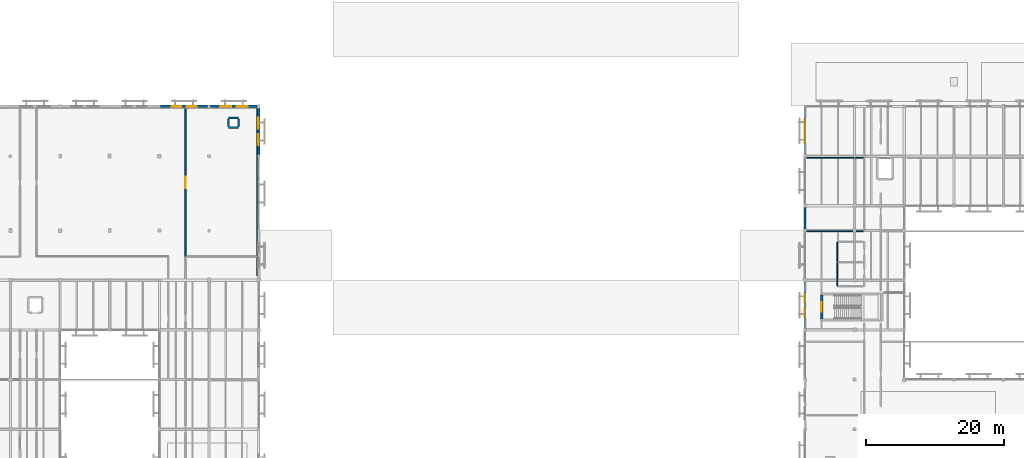
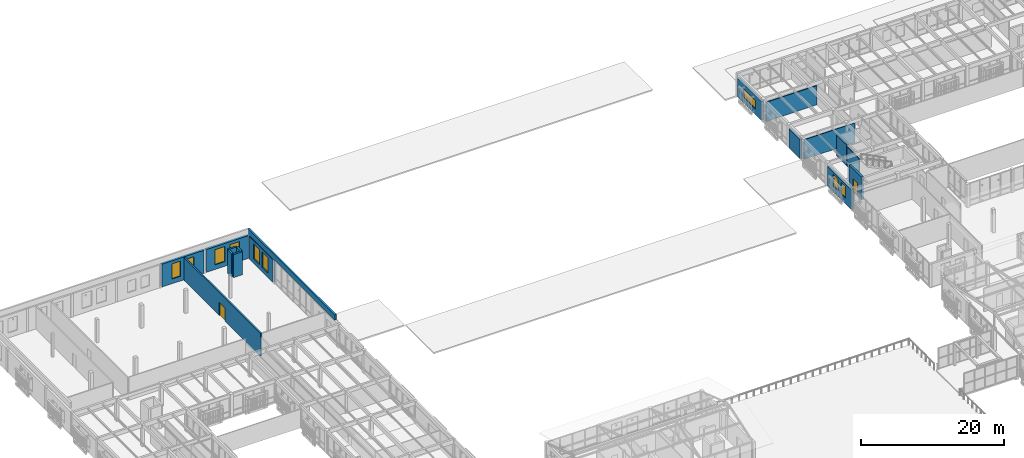
# One storey, part 85 of 112: 17 walls, 9 windows, 2 doors, 11 openings.
"""IFC4 building model written with IfcOpenShell, lengths in metres."""

from ifc_helpers import new_model, si_unit, direction, frame, frame_2d, origin, place, context, subcontext, project, spatial, rectangle, extrude, material, layer, layer_set, type_object, element, fill, save


model = new_model("IFC4")

# Units and contexts
model_context = context("Model", 3, precision=1e-05, world=origin(), true_north=direction((0.0, 1.0)))
body_context = subcontext(model_context, "Body", "Model", "MODEL_VIEW")
ifc_project = project(units=[si_unit("LENGTHUNIT", "METRE"), si_unit("AREAUNIT", "SQUARE_METRE"), si_unit("VOLUMEUNIT", "CUBIC_METRE"), si_unit("PLANEANGLEUNIT", "RADIAN"), si_unit("MASSUNIT", "GRAM", prefix="KILO")], contexts=[model_context])

# Site, building, storey
site_placement = place(None, origin())
site = spatial("IfcSite", under=ifc_project, at=site_placement, CompositionType="ELEMENT")
building_placement = place(site_placement, origin())
building = spatial("IfcBuilding", under=site, at=building_placement, Name="Mazaris Harbour Polytechnic", CompositionType="ELEMENT")
storey_placement = place(building_placement, frame((0.0, 0.0, 13.800048828125)))
storey = spatial("IfcBuildingStorey", under=building, at=storey_placement, Name="L03", CompositionType="ELEMENT", Elevation=13.800048828125)

# Wall, opening, door
ifc_material_1 = material(Name="Concrete C35/45", Category="concrete")
ifc_layer_1 = layer(ifc_material_1, 0.239990234375, Name="Concrete C35/45")
ifc_layer_set_1 = layer_set([ifc_layer_1], Name="Concrete C35/45")
wall_type_1 = type_object("IfcWallType", Name="Archive Vault Fire Wall 240", PredefinedType="STANDARD", material=ifc_layer_set_1)
wall_1_placement = place(storey_placement, frame((32.60009765625, 79.044921875, 0.0), z_axis=(0.0, 0.0, 1.0), x_axis=(0.0, 1.0, 0.0)))
wall_1 = element("IfcWall", 1, at=wall_1_placement, inside=storey, type_object=wall_type_1, Name="V4 L03 Partition 434", PredefinedType="STANDARD", context=body_context, shape_type="SweptSolid", body=[
    extrude(rectangle(XDim=21.45703125, YDim=0.239990234375, at=frame_2d((10.728515625, 0.0))), origin(), (0.0, 0.0, 1.0), 3.919921875),
])
opening_1_placement = place(wall_1_placement, frame((9.903564453125, 0.0, 0.0)))
opening_1 = element("IfcOpeningElement", 2, at=opening_1_placement, cuts=wall_1, Name="Opening ID-06D", PredefinedType="OPENING", context=body_context, shape_type="SweptSolid", body=[
    extrude(rectangle(XDim=1.64990234375, YDim=2.25, at=frame_2d((0.824951171875, 1.125))), frame((0.0, 0.1298828125, 0.0), z_axis=(0.0, -1.0, 0.0), x_axis=(1.0, 0.0, 0.0)), (0.0, 0.0, 1.0), 0.260009765625),
])
ifc_material_2 = material(Name="Galvanised Steel S355", Category="steel")
door_type_1 = type_object("IfcDoorType", Name="Plant and Substation Double Door 1650x2250", OperationType="DOUBLE_DOOR_SINGLE_SWING", PredefinedType="DOOR", material=ifc_material_2)
door_1_placement = place(opening_1_placement, origin())
door_1 = element("IfcDoor", 3, at=door_1_placement, inside=storey, type_object=door_type_1, Name="ID-0206", OperationType="DOUBLE_DOOR_SINGLE_SWING", OverallHeight=2.25, OverallWidth=1.64990234375, PredefinedType="DOOR", context=body_context, shape_type="SweptSolid", body=[
    extrude(rectangle(XDim=1.64990234375, YDim=2.25, at=frame_2d((0.824951171875, 1.125))), frame((0.0, 0.02490234375, 0.0), z_axis=(0.0, -1.0, 0.0), x_axis=(1.0, 0.0, 0.0)), (0.0, 0.0, 1.0), 0.050048828125),
])
fill(opening_1, door_1)

# Walls
ifc_material_3 = material(Name="Double Gypsum and Mineral Wool")
ifc_layer_2 = layer(ifc_material_3, 0.14990234375, Name="Double Gypsum and Mineral Wool")
ifc_layer_set_2 = layer_set([ifc_layer_2], Name="Double Gypsum and Mineral Wool")
wall_type_2 = type_object("IfcWallType", Name="Classroom Acoustic Partition 150", PredefinedType="PARTITIONING", material=ifc_layer_set_2)
wall_2_placement = place(storey_placement, frame((122.64990234375, 82.699951171875, 0.0), z_axis=(0.0, 0.0, 1.0), x_axis=(1.0, 0.0, 0.0)))
element("IfcWall", 4, at=wall_2_placement, inside=storey, type_object=wall_type_2, Name="V5 L03 Partition 638", PredefinedType="PARTITIONING", context=body_context, shape_type="SweptSolid", body=[
    extrude(rectangle(XDim=8.22998046875, YDim=0.14990234375, at=frame_2d((4.114990234375, 0.0))), origin(), (0.0, 0.0, 1.0), 3.35498046875),
])
ifc_material_4 = material(Name="Fireboard and Mineral Wool")
ifc_layer_3 = layer(ifc_material_4, 0.1650390625, Name="Fireboard and Mineral Wool")
ifc_layer_set_3 = layer_set([ifc_layer_3], Name="Fireboard and Mineral Wool")
wall_type_3 = type_object("IfcWallType", Name="Laboratory Rated Partition 165", PredefinedType="PARTITIONING", material=ifc_layer_set_3)
wall_3_placement = place(storey_placement, frame((122.64990234375, 93.3798828125, 0.0), z_axis=(0.0, 0.0, 1.0), x_axis=(1.0, 0.0, 0.0)))
element("IfcWall", 5, at=wall_3_placement, inside=storey, type_object=wall_type_3, Name="V5 L03 Partition 640", PredefinedType="PARTITIONING", context=body_context, shape_type="SweptSolid", body=[
    extrude(rectangle(XDim=8.22998046875, YDim=0.1650390625, at=frame_2d((4.114990234375, 0.0))), origin(), (0.0, 0.0, 1.0), 3.294921875),
])

# Wall, openings, windows
ifc_material_5 = material(Name="Algerian Buff Limestone and Concrete C30/37", Category="masonry")
ifc_layer_4 = layer(ifc_material_5, 0.360107421875, Name="Algerian Buff Limestone and Concrete C30/37")
ifc_layer_set_4 = layer_set([ifc_layer_4], Name="Algerian Buff Limestone and Concrete C30/37")
wall_type_4 = type_object("IfcWallType", Name="Limestone Ashlar Exterior Wall 360", PredefinedType="STANDARD", material=ifc_layer_set_4)
wall_4_placement = place(storey_placement, frame((28.971923828125, 100.800048828125, 0.0), z_axis=(0.0, 0.0, 1.0), x_axis=(1.0, 0.0, 0.0)))
wall_4 = element("IfcWall", 6, at=wall_4_placement, inside=storey, type_object=wall_type_4, Name="V4 L03 Exterior Wall 226", PredefinedType="STANDARD", context=body_context, shape_type="SweptSolid", body=[
    extrude(rectangle(XDim=6.826171875, YDim=0.360107421875, at=frame_2d((3.4130859375, 0.0))), origin(), (0.0, 0.0, 1.0), 3.919921875),
])
opening_2_placement = place(wall_4_placement, frame((1.613037109375, 0.0, 0.800048828125)))
opening_2 = element("IfcOpeningElement", 7, at=opening_2_placement, cuts=wall_4, Name="Opening WN-01", PredefinedType="OPENING", context=body_context, shape_type="SweptSolid", body=[
    extrude(rectangle(XDim=1.39990234375, YDim=2.60009765625, at=frame_2d((0.699951171875, 1.300048828125))), frame((0.0, 0.18994140625, 0.0), z_axis=(0.0, -1.0, 0.0), x_axis=(1.0, 0.0, 0.0)), (0.0, 0.0, 1.0), 0.380126953125),
])
opening_3_placement = place(wall_4_placement, frame((3.81298828125, 0.0, 0.800048828125)))
opening_3 = element("IfcOpeningElement", 8, at=opening_3_placement, cuts=wall_4, Name="Opening WN-01", PredefinedType="OPENING", context=body_context, shape_type="SweptSolid", body=[
    extrude(rectangle(XDim=1.39990234375, YDim=2.60009765625, at=frame_2d((0.699951171875, 1.300048828125))), frame((0.0, 0.18994140625, 0.0), z_axis=(0.0, -1.0, 0.0), x_axis=(1.0, 0.0, 0.0)), (0.0, 0.0, 1.0), 0.380126953125),
])
ifc_material_6 = material(Name="Thermally Broken Bronze Aluminium and Low-E Glass", Category="aluminium")
window_type_1 = type_object("IfcWindowType", Name="Neoclassical Tall Window 1400x2600", PartitioningType="DOUBLE_PANEL_VERTICAL", PredefinedType="WINDOW", material=ifc_material_6)
window_1_placement = place(opening_2_placement, origin())
window_1 = element("IfcWindow", 9, at=window_1_placement, inside=storey, type_object=window_type_1, Name="WN-0233", OverallHeight=2.60009765625, OverallWidth=1.39990234375, PartitioningType="DOUBLE_PANEL_VERTICAL", PredefinedType="WINDOW", context=body_context, shape_type="SweptSolid", body=[
    extrude(rectangle(XDim=1.39990234375, YDim=2.60009765625, at=frame_2d((0.699951171875, 1.300048828125))), frame((0.0, 0.030029296875, 0.0), z_axis=(0.0, -1.0, 0.0), x_axis=(1.0, 0.0, 0.0)), (0.0, 0.0, 1.0), 0.06005859375),
])
fill(opening_2, window_1)
window_2_placement = place(opening_3_placement, origin())
window_2 = element("IfcWindow", 10, at=window_2_placement, inside=storey, type_object=window_type_1, Name="WN-0234", OverallHeight=2.60009765625, OverallWidth=1.39990234375, PartitioningType="DOUBLE_PANEL_VERTICAL", PredefinedType="WINDOW", context=body_context, shape_type="SweptSolid", body=[
    extrude(rectangle(XDim=1.39990234375, YDim=2.60009765625, at=frame_2d((0.699951171875, 1.300048828125))), frame((0.0, 0.030029296875, 0.0), z_axis=(0.0, -1.0, 0.0), x_axis=(1.0, 0.0, 0.0)), (0.0, 0.0, 1.0), 0.06005859375),
])
fill(opening_3, window_2)

wall_5_placement = place(storey_placement, frame((36.201904296875, 100.800048828125, 0.0), z_axis=(0.0, 0.0, 1.0), x_axis=(1.0, 0.0, 0.0)))
wall_5 = element("IfcWall", 11, at=wall_5_placement, inside=storey, type_object=wall_type_4, Name="V4 L03 Exterior Wall 227", PredefinedType="STANDARD", context=body_context, shape_type="SweptSolid", body=[
    extrude(rectangle(XDim=6.7861328125, YDim=0.360107421875, at=frame_2d((3.39306640625, 0.0))), origin(), (0.0, 0.0, 1.0), 3.919921875),
])
opening_4_placement = place(wall_5_placement, frame((1.39306640625, 0.0, 0.800048828125)))
opening_4 = element("IfcOpeningElement", 12, at=opening_4_placement, cuts=wall_5, Name="Opening WN-02", PredefinedType="OPENING", context=body_context, shape_type="SweptSolid", body=[
    extrude(rectangle(XDim=1.60009765625, YDim=2.60009765625, at=frame_2d((0.800048828125, 1.300048828125))), frame((0.0, 0.18994140625, 0.0), z_axis=(0.0, -1.0, 0.0), x_axis=(1.0, 0.0, 0.0)), (0.0, 0.0, 1.0), 0.380126953125),
])
opening_5_placement = place(wall_5_placement, frame((3.79296875, 0.0, 0.800048828125)))
opening_5 = element("IfcOpeningElement", 13, at=opening_5_placement, cuts=wall_5, Name="Opening WN-02", PredefinedType="OPENING", context=body_context, shape_type="SweptSolid", body=[
    extrude(rectangle(XDim=1.60009765625, YDim=2.60009765625, at=frame_2d((0.800048828125, 1.300048828125))), frame((0.0, 0.18994140625, 0.0), z_axis=(0.0, -1.0, 0.0), x_axis=(1.0, 0.0, 0.0)), (0.0, 0.0, 1.0), 0.380126953125),
])
ifc_material_7 = material(Name="Thermally Broken Bronze Aluminium and Low-E Glass", Category="aluminium")
window_type_2 = type_object("IfcWindowType", Name="Neoclassical Tall Window 1600x2600", PartitioningType="DOUBLE_PANEL_VERTICAL", PredefinedType="WINDOW", material=ifc_material_7)
window_3_placement = place(opening_4_placement, origin())
window_3 = element("IfcWindow", 14, at=window_3_placement, inside=storey, type_object=window_type_2, Name="WN-0235", OverallHeight=2.60009765625, OverallWidth=1.60009765625, PartitioningType="DOUBLE_PANEL_VERTICAL", PredefinedType="WINDOW", context=body_context, shape_type="SweptSolid", body=[
    extrude(rectangle(XDim=1.60009765625, YDim=2.60009765625, at=frame_2d((0.800048828125, 1.300048828125))), frame((0.0, 0.030029296875, 0.0), z_axis=(0.0, -1.0, 0.0), x_axis=(1.0, 0.0, 0.0)), (0.0, 0.0, 1.0), 0.06005859375),
])
fill(opening_4, window_3)
window_4_placement = place(opening_5_placement, origin())
window_4 = element("IfcWindow", 15, at=window_4_placement, inside=storey, type_object=window_type_2, Name="WN-0236", OverallHeight=2.60009765625, OverallWidth=1.60009765625, PartitioningType="DOUBLE_PANEL_VERTICAL", PredefinedType="WINDOW", context=body_context, shape_type="SweptSolid", body=[
    extrude(rectangle(XDim=1.60009765625, YDim=2.60009765625, at=frame_2d((0.800048828125, 1.300048828125))), frame((0.0, 0.030029296875, 0.0), z_axis=(0.0, -1.0, 0.0), x_axis=(1.0, 0.0, 0.0)), (0.0, 0.0, 1.0), 0.06005859375),
])
fill(opening_5, window_4)

wall_6_placement = place(storey_placement, frame((43.199951171875, 100.508056640625, 0.0), z_axis=(0.0, 0.0, 1.0), x_axis=(0.0, -1.0, 0.0)))
wall_6 = element("IfcWall", 16, at=wall_6_placement, inside=storey, type_object=wall_type_4, Name="V4 L03 Exterior Wall 245", PredefinedType="STANDARD", context=body_context, shape_type="SweptSolid", body=[
    extrude(rectangle(XDim=6.64599609375, YDim=0.360107421875, at=frame_2d((3.322998046875, 0.0))), origin(), (0.0, 0.0, 1.0), 3.919921875),
])
opening_6_placement = place(wall_6_placement, frame((1.322998046875, 0.0, 0.800048828125)))
opening_6 = element("IfcOpeningElement", 17, at=opening_6_placement, cuts=wall_6, Name="Opening WN-02", PredefinedType="OPENING", context=body_context, shape_type="SweptSolid", body=[
    extrude(rectangle(XDim=1.60009765625, YDim=2.60009765625, at=frame_2d((0.800048828125, 1.300048828125))), frame((0.0, 0.18994140625, 0.0), z_axis=(0.0, -1.0, 0.0), x_axis=(1.0, 0.0, 0.0)), (0.0, 0.0, 1.0), 0.380126953125),
])
opening_7_placement = place(wall_6_placement, frame((3.722900390625, 0.0, 0.800048828125)))
opening_7 = element("IfcOpeningElement", 18, at=opening_7_placement, cuts=wall_6, Name="Opening WN-02", PredefinedType="OPENING", context=body_context, shape_type="SweptSolid", body=[
    extrude(rectangle(XDim=1.60009765625, YDim=2.60009765625, at=frame_2d((0.800048828125, 1.300048828125))), frame((0.0, 0.18994140625, 0.0), z_axis=(0.0, -1.0, 0.0), x_axis=(1.0, 0.0, 0.0)), (0.0, 0.0, 1.0), 0.380126953125),
])
window_5_placement = place(opening_6_placement, origin())
window_5 = element("IfcWindow", 19, at=window_5_placement, inside=storey, type_object=window_type_2, Name="WN-0260", OverallHeight=2.60009765625, OverallWidth=1.60009765625, PartitioningType="DOUBLE_PANEL_VERTICAL", PredefinedType="WINDOW", context=body_context, shape_type="SweptSolid", body=[
    extrude(rectangle(XDim=1.60009765625, YDim=2.60009765625, at=frame_2d((0.800048828125, 1.300048828125))), frame((0.0, 0.030029296875, 0.0), z_axis=(0.0, -1.0, 0.0), x_axis=(1.0, 0.0, 0.0)), (0.0, 0.0, 1.0), 0.06005859375),
])
fill(opening_6, window_5)
window_6_placement = place(opening_7_placement, origin())
window_6 = element("IfcWindow", 20, at=window_6_placement, inside=storey, type_object=window_type_2, Name="WN-0261", OverallHeight=2.60009765625, OverallWidth=1.60009765625, PartitioningType="DOUBLE_PANEL_VERTICAL", PredefinedType="WINDOW", context=body_context, shape_type="SweptSolid", body=[
    extrude(rectangle(XDim=1.60009765625, YDim=2.60009765625, at=frame_2d((0.800048828125, 1.300048828125))), frame((0.0, 0.030029296875, 0.0), z_axis=(0.0, -1.0, 0.0), x_axis=(1.0, 0.0, 0.0)), (0.0, 0.0, 1.0), 0.06005859375),
])
fill(opening_7, window_6)

# Wall
ifc_material_8 = material(Name="Algerian Buff Limestone", Category="masonry")
ifc_layer_5 = layer(ifc_material_8, 0.264892578125, Name="Algerian Buff Limestone")
ifc_layer_set_5 = layer_set([ifc_layer_5], Name="Algerian Buff Limestone")
wall_type_5 = type_object("IfcWallType", Name="Limestone Attic Parapet 265", PredefinedType="PARAPET", material=ifc_layer_set_5)
wall_7_placement = place(storey_placement, frame((43.06005859375, 76.25, 4.199951171875), z_axis=(0.0, 0.0, 1.0), x_axis=(0.0, 1.0, 0.0)))
element("IfcWall", 21, at=wall_7_placement, inside=storey, type_object=wall_type_5, Name="L03 Roof Cornice Parapet 4", PredefinedType="PARAPET", context=body_context, shape_type="SweptSolid", body=[
    extrude(rectangle(XDim=24.409912109375, YDim=0.264892578125, at=frame_2d((12.205078125, 0.0))), origin(), (0.0, 0.0, 1.0), 0.949951171875),
])

# Wall, openings, windows
ifc_material_9 = material(Name="Algerian Buff Limestone and Mineral Wool", Category="masonry")
ifc_layer_6 = layer(ifc_material_9, 0.31005859375, Name="Algerian Buff Limestone and Mineral Wool")
ifc_layer_set_6 = layer_set([ifc_layer_6], Name="Algerian Buff Limestone and Mineral Wool")
wall_type_6 = type_object("IfcWallType", Name="Limestone Studio Wall 310", PredefinedType="STANDARD", material=ifc_layer_set_6)
wall_8_placement = place(storey_placement, frame((122.39990234375, 68.6220703125, 0.0), z_axis=(0.0, 0.0, 1.0), x_axis=(0.0, 1.0, 0.0)))
wall_8 = element("IfcWall", 22, at=wall_8_placement, inside=storey, type_object=wall_type_6, Name="V5 L03 Exterior Wall 365", PredefinedType="STANDARD", context=body_context, shape_type="SweptSolid", body=[
    extrude(rectangle(XDim=6.73583984375, YDim=0.31005859375, at=frame_2d((3.367919921875, 0.0))), origin(), (0.0, 0.0, 1.0), 3.4150390625),
])
opening_8_placement = place(wall_8_placement, frame((1.617919921875, 0.0, 0.949951171875)))
opening_8 = element("IfcOpeningElement", 23, at=opening_8_placement, cuts=wall_8, Name="Opening WN-30", PredefinedType="OPENING", context=body_context, shape_type="SweptSolid", body=[
    extrude(rectangle(XDim=1.35009765625, YDim=2.0, at=frame_2d((0.675048828125, 1.0))), frame((0.0, 0.1650390625, 0.0), z_axis=(0.0, -1.0, 0.0), x_axis=(1.0, 0.0, 0.0)), (0.0, 0.0, 1.0), 0.330078125),
])
opening_9_placement = place(wall_8_placement, frame((3.76806640625, 0.0, 0.949951171875)))
opening_9 = element("IfcOpeningElement", 24, at=opening_9_placement, cuts=wall_8, Name="Opening WN-30", PredefinedType="OPENING", context=body_context, shape_type="SweptSolid", body=[
    extrude(rectangle(XDim=1.35009765625, YDim=2.0, at=frame_2d((0.675048828125, 1.0))), frame((0.0, 0.1650390625, 0.0), z_axis=(0.0, -1.0, 0.0), x_axis=(1.0, 0.0, 0.0)), (0.0, 0.0, 1.0), 0.330078125),
])
ifc_material_10 = material(Name="Thermally Broken Bronze Aluminium and Low-E Glass", Category="aluminium")
window_type_3 = type_object("IfcWindowType", Name="Pavilion Side Window 1350x2000", PartitioningType="DOUBLE_PANEL_VERTICAL", PredefinedType="WINDOW", material=ifc_material_10)
window_7_placement = place(opening_8_placement, origin())
window_7 = element("IfcWindow", 25, at=window_7_placement, inside=storey, type_object=window_type_3, Name="WN-0424", OverallHeight=2.0, OverallWidth=1.35009765625, PartitioningType="DOUBLE_PANEL_VERTICAL", PredefinedType="WINDOW", context=body_context, shape_type="SweptSolid", body=[
    extrude(rectangle(XDim=1.35009765625, YDim=2.0, at=frame_2d((0.675048828125, 1.0))), frame((0.0, 0.030029296875, 0.0), z_axis=(0.0, -1.0, 0.0), x_axis=(1.0, 0.0, 0.0)), (0.0, 0.0, 1.0), 0.06005859375),
])
fill(opening_8, window_7)
window_8_placement = place(opening_9_placement, origin())
window_8 = element("IfcWindow", 26, at=window_8_placement, inside=storey, type_object=window_type_3, Name="WN-0425", OverallHeight=2.0, OverallWidth=1.35009765625, PartitioningType="DOUBLE_PANEL_VERTICAL", PredefinedType="WINDOW", context=body_context, shape_type="SweptSolid", body=[
    extrude(rectangle(XDim=1.35009765625, YDim=2.0, at=frame_2d((0.675048828125, 1.0))), frame((0.0, 0.030029296875, 0.0), z_axis=(0.0, -1.0, 0.0), x_axis=(1.0, 0.0, 0.0)), (0.0, 0.0, 1.0), 0.06005859375),
])
fill(opening_9, window_8)

# Wall
wall_9_placement = place(storey_placement, frame((122.39990234375, 83.031982421875, 0.0), z_axis=(0.0, 0.0, 1.0), x_axis=(0.0, 1.0, 0.0)))
element("IfcWall", 27, at=wall_9_placement, inside=storey, type_object=wall_type_6, Name="V5 L03 Exterior Wall 366", PredefinedType="STANDARD", context=body_context, shape_type="SweptSolid", body=[
    extrude(rectangle(XDim=3.10595703125, YDim=0.31005859375, at=frame_2d((1.552978515625, 0.0))), origin(), (0.0, 0.0, 1.0), 3.294921875),
])

# Wall, opening, window
wall_10_placement = place(storey_placement, frame((122.39990234375, 93.89208984375, 0.0), z_axis=(0.0, 0.0, 1.0), x_axis=(0.0, 1.0, 0.0)))
wall_10 = element("IfcWall", 28, at=wall_10_placement, inside=storey, type_object=wall_type_6, Name="V5 L03 Exterior Wall 367", PredefinedType="STANDARD", context=body_context, shape_type="SweptSolid", body=[
    extrude(rectangle(XDim=6.745849609375, YDim=0.31005859375, at=frame_2d((3.373046875, 0.0))), origin(), (0.0, 0.0, 1.0), 3.195068359375),
])
opening_10_placement = place(wall_10_placement, frame((1.673095703125, 0.0, 0.89990234375)))
opening_10 = element("IfcOpeningElement", 29, at=opening_10_placement, cuts=wall_10, Name="Opening WN-16", PredefinedType="OPENING", context=body_context, shape_type="SweptSolid", body=[
    extrude(rectangle(XDim=3.39990234375, YDim=1.5, at=frame_2d((1.699951171875, 0.75))), frame((0.0, 0.1650390625, 0.0), z_axis=(0.0, -1.0, 0.0), x_axis=(1.0, 0.0, 0.0)), (0.0, 0.0, 1.0), 0.330078125),
])
ifc_material_11 = material(Name="Thermally Broken Bronze Aluminium and Low-E Glass", Category="aluminium")
window_type_4 = type_object("IfcWindowType", Name="Workshop Clerestory Ribbon 3400x1500", PartitioningType="DOUBLE_PANEL_VERTICAL", PredefinedType="WINDOW", material=ifc_material_11)
window_9_placement = place(opening_10_placement, origin())
window_9 = element("IfcWindow", 30, at=window_9_placement, inside=storey, type_object=window_type_4, Name="WN-0426", OverallHeight=1.5, OverallWidth=3.39990234375, PartitioningType="DOUBLE_PANEL_VERTICAL", PredefinedType="WINDOW", context=body_context, shape_type="SweptSolid", body=[
    extrude(rectangle(XDim=3.39990234375, YDim=1.5, at=frame_2d((1.699951171875, 0.75))), frame((0.0, 0.030029296875, 0.0), z_axis=(0.0, -1.0, 0.0), x_axis=(1.0, 0.0, 0.0)), (0.0, 0.0, 1.0), 0.06005859375),
])
fill(opening_10, window_9)

# Wall, opening, door
ifc_material_12 = material(Name="Concrete C40/50", Category="concrete")
ifc_layer_7 = layer(ifc_material_12, 0.324951171875, Name="Concrete C40/50")
ifc_layer_set_7 = layer_set([ifc_layer_7], Name="Concrete C40/50")
wall_type_7 = type_object("IfcWallType", Name="RC Core Shear Wall 325", PredefinedType="SHEAR", material=ifc_layer_set_7)
wall_11_placement = place(storey_placement, frame((124.824951171875, 73.449951171875, 0.0), z_axis=(0.0, 0.0, 1.0), x_axis=(0.0, -1.0, 0.0)))
wall_11 = element("IfcWall", 31, at=wall_11_placement, inside=storey, type_object=wall_type_7, Name="Core ST09 L03 Entrance Shear Wall", PredefinedType="SHEAR", context=body_context, shape_type="SweptSolid", body=[
    extrude(rectangle(XDim=3.449951171875, YDim=0.324951171875, at=frame_2d((1.72509765625, 0.0))), origin(), (0.0, 0.0, 1.0), 3.93505859375),
])
opening_11_placement = place(wall_11_placement, frame((1.034912109375, 0.0, 0.0)))
opening_11 = element("IfcOpeningElement", 32, at=opening_11_placement, cuts=wall_11, Name="Opening SD-01", PredefinedType="OPENING", context=body_context, shape_type="SweptSolid", body=[
    extrude(rectangle(XDim=1.3798828125, YDim=2.199951171875, at=frame_2d((0.68994140625, 1.10009765625))), frame((0.0, 0.17236328125, 0.0), z_axis=(0.0, -1.0, 0.0), x_axis=(1.0, 0.0, 0.0)), (0.0, 0.0, 1.0), 0.344970703125),
])
ifc_material_13 = material(Name="Glulam Timber and Fire Glass", Category="wood")
door_type_2 = type_object("IfcDoorType", Name="Protected Stair Lobby Fire Door 1380x2200", OperationType="DOUBLE_DOOR_SINGLE_SWING", PredefinedType="DOOR", material=ifc_material_13)
door_2_placement = place(opening_11_placement, origin())
door_2 = element("IfcDoor", 33, at=door_2_placement, inside=storey, type_object=door_type_2, Name="SD-046", OperationType="DOUBLE_DOOR_SINGLE_SWING", OverallHeight=2.199951171875, OverallWidth=1.3798828125, PredefinedType="DOOR", context=body_context, shape_type="SweptSolid", body=[
    extrude(rectangle(XDim=1.3798828125, YDim=2.199951171875, at=frame_2d((0.68994140625, 1.10009765625))), frame((0.0, 0.02490234375, 0.0), z_axis=(0.0, -1.0, 0.0), x_axis=(1.0, 0.0, 0.0)), (0.0, 0.0, 1.0), 0.050048828125),
])
fill(opening_11, door_2)

# Walls
ifc_material_14 = material(Name="Concrete C40/50", Category="concrete")
ifc_layer_8 = layer(ifc_material_14, 0.300048828125, Name="Concrete C40/50")
ifc_layer_set_8 = layer_set([ifc_layer_8], Name="Concrete C40/50")
wall_type_8 = type_object("IfcWallType", Name="RC Lift Shaft Wall 300", PredefinedType="SHEAR", material=ifc_layer_set_8)
wall_12_placement = place(storey_placement, frame((38.830078125, 97.72998046875, 0.0), z_axis=(0.0, 0.0, 1.0), x_axis=(1.0, 0.0, 0.0)))
element("IfcWall", 34, at=wall_12_placement, inside=storey, type_object=wall_type_8, Name="V4 L03 Riser Enclosure Wall 2-1", PredefinedType="SHEAR", context=body_context, shape_type="SweptSolid", body=[
    extrude(rectangle(XDim=1.419921875, YDim=0.300048828125, at=frame_2d((0.7099609375, 0.0))), origin(), (0.0, 0.0, 1.0), 3.9599609375),
])
wall_13_placement = place(storey_placement, frame((40.25, 97.889892578125, 0.0), z_axis=(0.0, 0.0, 1.0), x_axis=(0.0, 1.0, 0.0)))
element("IfcWall", 35, at=wall_13_placement, inside=storey, type_object=wall_type_8, Name="V4 L03 Riser Enclosure Wall 2-2", PredefinedType="SHEAR", context=body_context, shape_type="SweptSolid", body=[
    extrude(rectangle(XDim=1.10009765625, YDim=0.300048828125, at=frame_2d((0.550048828125, 0.0))), origin(), (0.0, 0.0, 1.0), 3.9599609375),
])
wall_14_placement = place(storey_placement, frame((40.25, 99.14990234375, 0.0), z_axis=(0.0, 0.0, 1.0), x_axis=(-1.0, 0.0, 0.0)))
element("IfcWall", 36, at=wall_14_placement, inside=storey, type_object=wall_type_8, Name="V4 L03 Riser Enclosure Wall 2-3", PredefinedType="SHEAR", context=body_context, shape_type="SweptSolid", body=[
    extrude(rectangle(XDim=1.419921875, YDim=0.300048828125, at=frame_2d((0.7099609375, 0.0))), origin(), (0.0, 0.0, 1.0), 3.9599609375),
])
wall_15_placement = place(storey_placement, frame((38.830078125, 98.989990234375, 0.0), z_axis=(0.0, 0.0, 1.0), x_axis=(0.0, -1.0, 0.0)))
element("IfcWall", 37, at=wall_15_placement, inside=storey, type_object=wall_type_8, Name="V4 L03 Riser Enclosure Wall 2-4", PredefinedType="SHEAR", context=body_context, shape_type="SweptSolid", body=[
    extrude(rectangle(XDim=1.10009765625, YDim=0.300048828125, at=frame_2d((0.550048828125, 0.0))), origin(), (0.0, 0.0, 1.0), 3.9599609375),
])
ifc_material_15 = material(Name="Moisture-Resistant Gypsum and Steel Stud", Category="steel")
ifc_layer_9 = layer(ifc_material_15, 0.14501953125, Name="Moisture-Resistant Gypsum and Steel Stud")
ifc_layer_set_9 = layer_set([ifc_layer_9], Name="Moisture-Resistant Gypsum and Steel Stud")
wall_type_9 = type_object("IfcWallType", Name="Sanitary Plumbing Wall 145", PredefinedType="PLUMBINGWALL", material=ifc_layer_set_9)
wall_16_placement = place(storey_placement, frame((127.10009765625, 74.782470703125, 0.0), z_axis=(0.0, 0.0, 1.0), x_axis=(0.0, 1.0, 0.0)))
element("IfcWall", 38, at=wall_16_placement, inside=storey, type_object=wall_type_9, Name="V5 L03 Partition 629", PredefinedType="PLUMBINGWALL", context=body_context, shape_type="SweptSolid", body=[
    extrude(rectangle(XDim=3.3349609375, YDim=0.14501953125, at=frame_2d((1.66748046875, 0.0))), origin(), (0.0, 0.0, 1.0), 3.35498046875),
])
wall_17_placement = place(storey_placement, frame((127.10009765625, 78.282470703125, 0.0), z_axis=(0.0, 0.0, 1.0), x_axis=(0.0, 1.0, 0.0)))
element("IfcWall", 39, at=wall_17_placement, inside=storey, type_object=wall_type_9, Name="V5 L03 Partition 632", PredefinedType="PLUMBINGWALL", context=body_context, shape_type="SweptSolid", body=[
    extrude(rectangle(XDim=2.8349609375, YDim=0.14501953125, at=frame_2d((1.41748046875, 0.0))), origin(), (0.0, 0.0, 1.0), 3.574951171875),
])

save(model, "model.ifc")
